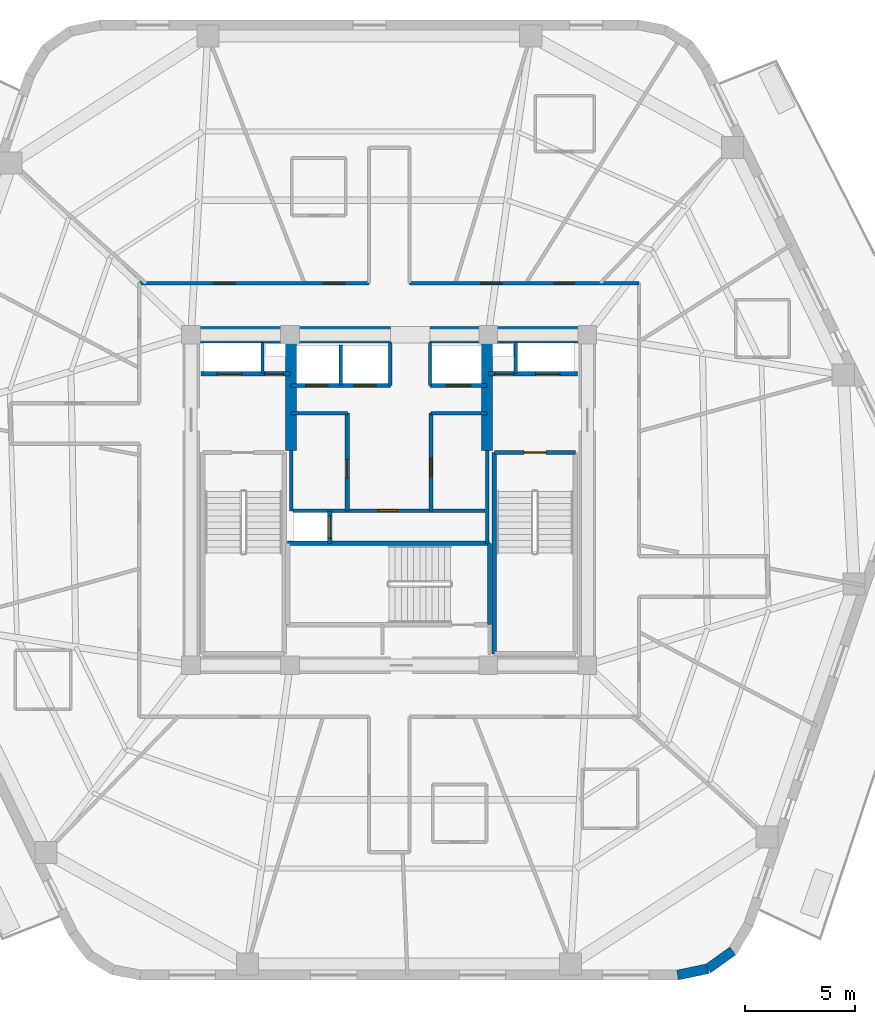
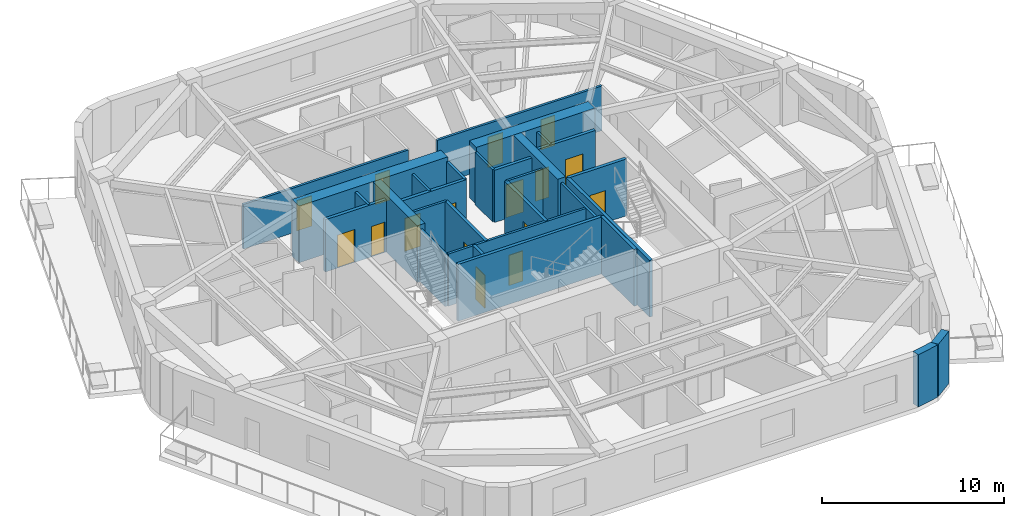
# One storey, part 4 of 9: 29 walls, 16 doors, 16 openings.
"""IFC4 building model written with IfcOpenShell, lengths in metres."""

from ifc_helpers import new_model, si_unit, direction, frame, frame_2d, origin, place, context, subcontext, project, spatial, rectangle, extrude, material, layer, layer_set, type_object, element, fill, save


model = new_model("IFC4")

# Units and contexts
model_context = context("Model", 3, precision=1e-05, world=origin(), true_north=direction((0.0, 1.0)))
body_context = subcontext(model_context, "Body", "Model", "MODEL_VIEW")
ifc_project = project(units=[si_unit("LENGTHUNIT", "METRE"), si_unit("AREAUNIT", "SQUARE_METRE"), si_unit("VOLUMEUNIT", "CUBIC_METRE"), si_unit("PLANEANGLEUNIT", "RADIAN"), si_unit("MASSUNIT", "GRAM", prefix="KILO")], contexts=[model_context])

# Site, building, storey
site_placement = place(None, origin())
site = spatial("IfcSite", under=ifc_project, at=site_placement, CompositionType="ELEMENT")
building_placement = place(site_placement, origin())
building = spatial("IfcBuilding", under=site, at=building_placement, Name="Kilnhurst Terrace Hotel", CompositionType="ELEMENT")
storey_placement = place(building_placement, frame((0.0, 0.0, 233.10009765625)))
storey = spatial("IfcBuildingStorey", under=building, at=storey_placement, Name="L58", CompositionType="ELEMENT", Elevation=233.10009765625)

# Walls
ifc_material_1 = material(Name="Precast concrete C40/50", Category="concrete")
ifc_layer_1 = layer(ifc_material_1, 0.449951171875, Name="Precast concrete C40/50")
ifc_layer_set_1 = layer_set([ifc_layer_1], Name="Precast concrete C40/50")
wall_type_1 = type_object("IfcWallType", Name="WL-BRK-450", PredefinedType="SOLIDWALL", material=ifc_layer_set_1)
wall_1_placement = place(storey_placement, frame((13.1015625, -21.574951171875, 0.0), z_axis=(0.0, 0.0, 1.0), x_axis=(0.978757421505, 0.205021730188, 0.0)))
element("IfcWall", 1, at=wall_1_placement, inside=storey, type_object=wall_type_1, Name="L58 Rounded Corner Brick Wall C2.1", PredefinedType="SOLIDWALL", context=body_context, shape_type="SweptSolid", body=[
    extrude(rectangle(XDim=1.40625, YDim=0.449951171875, at=frame_2d((0.703125, 0.0))), origin(), (0.0, 0.0, 1.0), 3.5),
])
wall_2_placement = place(storey_placement, frame((14.47802734375, -21.28662109375, 0.0), z_axis=(0.0, 0.0, 1.0), x_axis=(0.813888518617, 0.58102106611, 0.0)))
element("IfcWall", 2, at=wall_2_placement, inside=storey, type_object=wall_type_1, Name="L58 Rounded Corner Brick Wall C2.2", PredefinedType="SOLIDWALL", context=body_context, shape_type="SweptSolid", body=[
    extrude(rectangle(XDim=1.3828125, YDim=0.449951171875, at=frame_2d((0.69140625, 0.0))), origin(), (0.0, 0.0, 1.0), 3.5),
])

# Wall, openings, doors
ifc_material_2 = material(Name="Acoustic Double-Gypsum Corridor Partition Assembly")
ifc_layer_2 = layer(ifc_material_2, 0.14990234375, Name="Acoustic Double-Gypsum Corridor Partition Assembly")
ifc_layer_set_2 = layer_set([ifc_layer_2], Name="Acoustic Double-Gypsum Corridor Partition Assembly")
wall_type_2 = type_object("IfcWallType", Name="WL-COR-150", PredefinedType="PARTITIONING", material=ifc_layer_set_2)
wall_3_placement = place(storey_placement, frame((-11.35009765625, 9.85009765625, 0.0), z_axis=(0.0, 0.0, 1.0), x_axis=(1.0, 0.0, 0.0)))
wall_3 = element("IfcWall", 3, at=wall_3_placement, inside=storey, type_object=wall_type_2, Name="L58 Interior Wall WL-L58-COR-06", PredefinedType="PARTITIONING", context=body_context, shape_type="SweptSolid", body=[
    extrude(rectangle(XDim=10.43017578125, YDim=0.14990234375, at=frame_2d((5.215087890625, 0.0))), origin(), (0.0, 0.0, 1.0), 2.989990234375),
])
opening_1_placement = place(wall_3_placement, frame((8.362060546875, 0.0, 0.0)))
opening_1 = element("IfcOpeningElement", 4, at=opening_1_placement, cuts=wall_3, Name="Opening D-60B", PredefinedType="OPENING", context=body_context, shape_type="SweptSolid", body=[
    extrude(rectangle(XDim=0.949951171875, YDim=2.030029296875, at=frame_2d((0.47509765625, 1.01513671875))), frame((0.0, 0.0849609375, 0.0), z_axis=(0.0, -1.0, 0.0), x_axis=(1.0, 0.0, 0.0)), (0.0, 0.0, 1.0), 0.169921875),
])
opening_2_placement = place(wall_3_placement, frame((3.39599609375, 0.0, 0.0)))
opening_2 = element("IfcOpeningElement", 5, at=opening_2_placement, cuts=wall_3, Name="Opening D-60B", PredefinedType="OPENING", context=body_context, shape_type="SweptSolid", body=[
    extrude(rectangle(XDim=0.949951171875, YDim=2.030029296875, at=frame_2d((0.47509765625, 1.01513671875))), frame((0.0, 0.0849609375, 0.0), z_axis=(0.0, -1.0, 0.0), x_axis=(1.0, 0.0, 0.0)), (0.0, 0.0, 1.0), 0.169921875),
])
ifc_material_3 = material(Name="Acoustic Walnut Veneer Solid-Core Fire Door")
door_type_1 = type_object("IfcDoorType", Name="DR-FD60-950", OperationType="NOTDEFINED", PredefinedType="DOOR", material=ifc_material_3)
door_1_placement = place(opening_1_placement, origin())
door_1 = element("IfcDoor", 6, at=door_1_placement, inside=storey, type_object=door_type_1, Name="L58 Executive Suite Entry Door 5", OperationType="SINGLE_SWING_LEFT", OverallHeight=2.030029296875, OverallWidth=0.949951171875, PredefinedType="DOOR", context=body_context, shape_type="SweptSolid", body=[
    extrude(rectangle(XDim=0.949951171875, YDim=2.030029296875, at=frame_2d((0.47509765625, 1.01513671875))), frame((0.0, 0.02490234375, 0.0), z_axis=(0.0, -1.0, 0.0), x_axis=(1.0, 0.0, 0.0)), (0.0, 0.0, 1.0), 0.050048828125),
])
fill(opening_1, door_1)
door_2_placement = place(opening_2_placement, origin())
door_2 = element("IfcDoor", 7, at=door_2_placement, inside=storey, type_object=door_type_1, Name="L58 Club Lounge Door", OperationType="SINGLE_SWING_RIGHT", OverallHeight=2.030029296875, OverallWidth=0.949951171875, PredefinedType="DOOR", context=body_context, shape_type="SweptSolid", body=[
    extrude(rectangle(XDim=0.949951171875, YDim=2.030029296875, at=frame_2d((0.47509765625, 1.01513671875))), frame((0.0, 0.02490234375, 0.0), z_axis=(0.0, -1.0, 0.0), x_axis=(1.0, 0.0, 0.0)), (0.0, 0.0, 1.0), 0.050048828125),
])
fill(opening_2, door_2)

wall_4_placement = place(storey_placement, frame((0.919921875, 9.85009765625, 0.0), z_axis=(0.0, 0.0, 1.0), x_axis=(1.0, 0.0, 0.0)))
wall_4 = element("IfcWall", 8, at=wall_4_placement, inside=storey, type_object=wall_type_2, Name="L58 Interior Wall WL-L58-COR-10", PredefinedType="PARTITIONING", context=body_context, shape_type="SweptSolid", body=[
    extrude(rectangle(XDim=10.43017578125, YDim=0.14990234375, at=frame_2d((5.215087890625, 0.0))), origin(), (0.0, 0.0, 1.0), 2.989990234375),
])
opening_3_placement = place(wall_4_placement, frame((6.576904296875, 0.0, 0.0)))
opening_3 = element("IfcOpeningElement", 9, at=opening_3_placement, cuts=wall_4, Name="Opening D-60C", PredefinedType="OPENING", context=body_context, shape_type="SweptSolid", body=[
    extrude(rectangle(XDim=0.89990234375, YDim=2.030029296875, at=frame_2d((0.449951171875, 1.01513671875))), frame((0.0, 0.0849609375, 0.0), z_axis=(0.0, -1.0, 0.0), x_axis=(1.0, 0.0, 0.0)), (0.0, 0.0, 1.0), 0.169921875),
])
opening_4_placement = place(wall_4_placement, frame((3.23388671875, 0.0, 0.0)))
opening_4 = element("IfcOpeningElement", 10, at=opening_4_placement, cuts=wall_4, Name="Opening D-60B", PredefinedType="OPENING", context=body_context, shape_type="SweptSolid", body=[
    extrude(rectangle(XDim=0.949951171875, YDim=2.030029296875, at=frame_2d((0.47509765625, 1.01513671875))), frame((0.0, 0.0849609375, 0.0), z_axis=(0.0, -1.0, 0.0), x_axis=(1.0, 0.0, 0.0)), (0.0, 0.0, 1.0), 0.169921875),
])
ifc_material_4 = material(Name="Painted Solid-Core Service Fire Door")
door_type_2 = type_object("IfcDoorType", Name="DR-FD60-900", OperationType="NOTDEFINED", PredefinedType="DOOR", material=ifc_material_4)
door_3_placement = place(opening_3_placement, origin())
door_3 = element("IfcDoor", 11, at=door_3_placement, inside=storey, type_object=door_type_2, Name="L58 Executive Work Office Door 3", OperationType="SINGLE_SWING_LEFT", OverallHeight=2.030029296875, OverallWidth=0.89990234375, PredefinedType="DOOR", context=body_context, shape_type="SweptSolid", body=[
    extrude(rectangle(XDim=0.89990234375, YDim=2.030029296875, at=frame_2d((0.449951171875, 1.01513671875))), frame((0.0, 0.02490234375, 0.0), z_axis=(0.0, -1.0, 0.0), x_axis=(1.0, 0.0, 0.0)), (0.0, 0.0, 1.0), 0.050048828125),
])
fill(opening_3, door_3)
door_4_placement = place(opening_4_placement, origin())
door_4 = element("IfcDoor", 12, at=door_4_placement, inside=storey, type_object=door_type_1, Name="L58 Guest Room Entry Door 4", OperationType="SINGLE_SWING_RIGHT", OverallHeight=2.030029296875, OverallWidth=0.949951171875, PredefinedType="DOOR", context=body_context, shape_type="SweptSolid", body=[
    extrude(rectangle(XDim=0.949951171875, YDim=2.030029296875, at=frame_2d((0.47509765625, 1.01513671875))), frame((0.0, 0.02490234375, 0.0), z_axis=(0.0, -1.0, 0.0), x_axis=(1.0, 0.0, 0.0)), (0.0, 0.0, 1.0), 0.050048828125),
])
fill(opening_4, door_4)

# Walls
ifc_material_5 = material(Name="Concrete C60/75", Category="concrete")
ifc_layer_3 = layer(ifc_material_5, 0.75, Name="Concrete C60/75")
ifc_layer_set_3 = layer_set([ifc_layer_3], Name="Concrete C60/75")
wall_type_3 = type_object("IfcWallType", Name="WL-CORE-750", PredefinedType="SHEAR", material=ifc_layer_set_3)
wall_5_placement = place(storey_placement, frame((-9.375, 7.5, 0.0), z_axis=(0.0, 0.0, 1.0), x_axis=(1.0, 0.0, 0.0)))
element("IfcWall", 13, at=wall_5_placement, inside=storey, type_object=wall_type_3, Name="L58 Core North West Shear Wall", PredefinedType="SHEAR", context=body_context, shape_type="SweptSolid", body=[
    extrude(rectangle(XDim=9.425048828125, YDim=0.75, at=frame_2d((4.71240234375, 0.0))), origin(), (0.0, 0.0, 1.0), 3.7998046875),
])
wall_6_placement = place(storey_placement, frame((1.85009765625, 7.5, 0.0), z_axis=(0.0, 0.0, 1.0), x_axis=(1.0, 0.0, 0.0)))
element("IfcWall", 14, at=wall_6_placement, inside=storey, type_object=wall_type_3, Name="L58 Core North East Shear Wall", PredefinedType="SHEAR", context=body_context, shape_type="SweptSolid", body=[
    extrude(rectangle(XDim=7.52490234375, YDim=0.75, at=frame_2d((3.762451171875, 0.0))), origin(), (0.0, 0.0, 1.0), 3.7998046875),
])
ifc_layer_4 = layer(ifc_material_5, 0.5, Name="Concrete C60/75")
ifc_layer_set_4 = layer_set([ifc_layer_4], Name="Concrete C60/75")
wall_type_4 = type_object("IfcWallType", Name="WL-CORE-WEB-500", PredefinedType="SHEAR", material=ifc_layer_set_4)
for number, where, z_axis, x_axis, name in (
    (15, (-4.449951171875, 2.25, 0.0), (0.0, 0.0, 1.0), (0.0, 1.0, 0.0), "L58 Core Internal West Shear Web"),
    (16, (4.449951171875, 2.25, 0.0), (0.0, 0.0, 1.0), (0.0, 1.0, 0.0), "L58 Core Internal East Shear Web"),
):
    element("IfcWall", number, at=place(storey_placement, frame(where, z_axis=z_axis, x_axis=x_axis)), inside=storey, type_object=wall_type_4, Name=name, PredefinedType="SHEAR", context=body_context, shape_type="SweptSolid", body=[
        extrude(rectangle(XDim=4.875, YDim=0.5, at=frame_2d((2.4375, 0.0))), origin(), (0.0, 0.0, 1.0), 3.7998046875),
    ])
ifc_material_6 = material(Name="Fire-Rated Gypsum Shaftliner Assembly")
ifc_layer_5 = layer(ifc_material_6, 0.14990234375, Name="Fire-Rated Gypsum Shaftliner Assembly")
ifc_layer_set_5 = layer_set([ifc_layer_5], Name="Fire-Rated Gypsum Shaftliner Assembly")
wall_type_5 = type_object("IfcWallType", Name="WL-SHAFT-150", PredefinedType="PARTITIONING", material=ifc_layer_set_5)
for number, where, z_axis, x_axis, name in (
    (17, (-5.75, 5.739990234375, 0.0), (0.0, 0.0, 1.0), (0.0, 1.0, 0.0), "L58 Interior Wall WL-L58-RIS1-DIV"),
    (18, (5.75, 5.739990234375, 0.0), (0.0, 0.0, 1.0), (0.0, 1.0, 0.0), "L58 Interior Wall WL-L58-RIS2-DIV"),
):
    element("IfcWall", number, at=place(storey_placement, frame(where, z_axis=z_axis, x_axis=x_axis)), inside=storey, type_object=wall_type_5, Name=name, PredefinedType="PARTITIONING", context=body_context, shape_type="SweptSolid", body=[
        extrude(rectangle(XDim=1.409912109375, YDim=0.14990234375, at=frame_2d((0.705078125, 0.0))), origin(), (0.0, 0.0, 1.0), 3.5),
    ])
wall_7_placement = place(storey_placement, frame((-2.199951171875, 5.199951171875, 0.0), z_axis=(0.0, 0.0, 1.0), x_axis=(0.0, 1.0, 0.0)))
element("IfcWall", 19, at=wall_7_placement, inside=storey, type_object=wall_type_5, Name="L58 Interior Wall WL-L58-HR-DIV1", PredefinedType="PARTITIONING", context=body_context, shape_type="SweptSolid", body=[
    extrude(rectangle(XDim=1.85009765625, YDim=0.14990234375, at=frame_2d((0.925048828125, 0.0))), origin(), (0.0, 0.0, 1.0), 3.5),
])
for number, where, z_axis, x_axis, name in (
    (20, (0.050048828125, 5.199951171875, 0.0), (0.0, 0.0, 1.0), (0.0, 1.0, 0.0), "L58 Interior Wall WL-L58-HR-PORTAL-W"),
    (21, (1.85009765625, 5.199951171875, 0.0), (0.0, 0.0, 1.0), (0.0, 1.0, 0.0), "L58 Interior Wall WL-L58-HR-PORTAL-E"),
):
    element("IfcWall", number, at=place(storey_placement, frame(where, z_axis=z_axis, x_axis=x_axis)), inside=storey, type_object=wall_type_5, Name=name, PredefinedType="PARTITIONING", context=body_context, shape_type="SweptSolid", body=[
        extrude(rectangle(XDim=1.949951171875, YDim=0.14990234375, at=frame_2d((0.97509765625, 0.0))), origin(), (0.0, 0.0, 1.0), 3.5),
    ])
wall_8_placement = place(storey_placement, frame((-4.449951171875, -0.5, 0.0), z_axis=(0.0, 0.0, 1.0), x_axis=(0.0, 1.0, 0.0)))
element("IfcWall", 22, at=wall_8_placement, inside=storey, type_object=wall_type_5, Name="L58 Interior Wall WL-L58-XLOB-W", PredefinedType="PARTITIONING", context=body_context, shape_type="SweptSolid", body=[
    extrude(rectangle(XDim=2.75, YDim=0.14990234375, at=frame_2d((1.375, 0.0))), origin(), (0.0, 0.0, 1.0), 3.5),
])
wall_9_placement = place(storey_placement, frame((4.449951171875, -1.971923828125, 0.0), z_axis=(0.0, 0.0, 1.0), x_axis=(0.0, 1.0, 0.0)))
element("IfcWall", 23, at=wall_9_placement, inside=storey, type_object=wall_type_5, Name="L58 Interior Wall WL-L58-XLOB-E", PredefinedType="PARTITIONING", context=body_context, shape_type="SweptSolid", body=[
    extrude(rectangle(XDim=4.221923828125, YDim=0.14990234375, at=frame_2d((2.11083984375, 0.0))), origin(), (0.0, 0.0, 1.0), 3.5),
])
for number, where, z_axis, x_axis, name in (
    (24, (-4.449951171875, 3.93994140625, 0.0), (0.0, 0.0, 1.0), (1.0, 0.0, 0.0), "L58 Interior Wall WL-L58-LR-NORTH"),
    (25, (1.89990234375, 3.93994140625, 0.0), (0.0, 0.0, 1.0), (1.0, 0.0, 0.0), "L58 Interior Wall WL-L58-MR-NORTH"),
):
    element("IfcWall", number, at=place(storey_placement, frame(where, z_axis=z_axis, x_axis=x_axis)), inside=storey, type_object=wall_type_5, Name=name, PredefinedType="PARTITIONING", context=body_context, shape_type="SweptSolid", body=[
        extrude(rectangle(XDim=2.550048828125, YDim=0.14990234375, at=frame_2d((1.27490234375, 0.0))), origin(), (0.0, 0.0, 1.0), 3.5),
    ])

# Wall, opening, door
wall_10_placement = place(storey_placement, frame((-4.360107421875, -0.489990234375, 0.0), z_axis=(0.0, 0.0, 1.0), x_axis=(1.0, 0.0, 0.0)))
wall_10 = element("IfcWall", 26, at=wall_10_placement, inside=storey, type_object=wall_type_5, Name="L58 Interior Wall WL-L58-BOH-N", PredefinedType="PARTITIONING", context=body_context, shape_type="SweptSolid", body=[
    extrude(rectangle(XDim=8.72021484375, YDim=0.14990234375, at=frame_2d((4.360107421875, 0.0))), origin(), (0.0, 0.0, 1.0), 3.5),
])
opening_5_placement = place(wall_10_placement, frame((3.860107421875, 0.0, 0.0)))
opening_5 = element("IfcOpeningElement", 27, at=opening_5_placement, cuts=wall_10, Name="Opening D-60C", PredefinedType="OPENING", context=body_context, shape_type="SweptSolid", body=[
    extrude(rectangle(XDim=0.89990234375, YDim=2.030029296875, at=frame_2d((0.449951171875, 1.01513671875))), frame((0.0, 0.0849609375, 0.0), z_axis=(0.0, -1.0, 0.0), x_axis=(1.0, 0.0, 0.0)), (0.0, 0.0, 1.0), 0.169921875),
])
door_5_placement = place(opening_5_placement, origin())
door_5 = element("IfcDoor", 28, at=door_5_placement, inside=storey, type_object=door_type_2, Name="L58 Housekeeping Laundry Door", OperationType="SINGLE_SWING_LEFT", OverallHeight=2.030029296875, OverallWidth=0.89990234375, PredefinedType="DOOR", context=body_context, shape_type="SweptSolid", body=[
    extrude(rectangle(XDim=0.89990234375, YDim=2.030029296875, at=frame_2d((0.449951171875, 1.01513671875))), frame((0.0, 0.02490234375, 0.0), z_axis=(0.0, -1.0, 0.0), x_axis=(1.0, 0.0, 0.0)), (0.0, 0.0, 1.0), 0.050048828125),
])
fill(opening_5, door_5)

# Wall, openings, doors
ifc_material_7 = material(Name="Autoclaved Aerated Concrete C30/37 and Gypsum Shaft Assembly", Category="concrete")
ifc_layer_6 = layer(ifc_material_7, 0.199951171875, Name="Autoclaved Aerated Concrete C30/37 and Gypsum Shaft Assembly")
ifc_layer_set_6 = layer_set([ifc_layer_6], Name="Autoclaved Aerated Concrete C30/37 and Gypsum Shaft Assembly")
wall_type_6 = type_object("IfcWallType", Name="WL-SHAFT-200", PredefinedType="PARTITIONING", material=ifc_layer_set_6)
wall_11_placement = place(storey_placement, frame((-8.550048828125, 5.739990234375, 0.0), z_axis=(0.0, 0.0, 1.0), x_axis=(1.0, 0.0, 0.0)))
wall_11 = element("IfcWall", 29, at=wall_11_placement, inside=storey, type_object=wall_type_6, Name="L58 Interior Wall WL-L58-FSAE1-S", PredefinedType="PARTITIONING", context=body_context, shape_type="SweptSolid", body=[
    extrude(rectangle(XDim=4.050048828125, YDim=0.199951171875, at=frame_2d((2.02490234375, 0.0))), origin(), (0.0, 0.0, 1.0), 3.5),
])
opening_6_placement = place(wall_11_placement, frame((0.75, 0.0, 0.0)))
opening_6 = element("IfcOpeningElement", 30, at=opening_6_placement, cuts=wall_11, Name="Opening LD-F1", PredefinedType="OPENING", context=body_context, shape_type="SweptSolid", body=[
    extrude(rectangle(XDim=1.10009765625, YDim=2.199951171875, at=frame_2d((0.550048828125, 1.10009765625))), frame((0.0, 0.10986328125, 0.0), z_axis=(0.0, -1.0, 0.0), x_axis=(1.0, 0.0, 0.0)), (0.0, 0.0, 1.0), 0.219970703125),
])
opening_7_placement = place(wall_11_placement, frame((2.89990234375, 0.0, 0.0)))
opening_7 = element("IfcOpeningElement", 31, at=opening_7_placement, cuts=wall_11, Name="Opening D-60D", PredefinedType="OPENING", context=body_context, shape_type="SweptSolid", body=[
    extrude(rectangle(XDim=0.85009765625, YDim=2.030029296875, at=frame_2d((0.425048828125, 1.01513671875))), frame((0.0, 0.10986328125, 0.0), z_axis=(0.0, -1.0, 0.0), x_axis=(1.0, 0.0, 0.0)), (0.0, 0.0, 1.0), 0.219970703125),
])
ifc_material_8 = material(Name="Painted Hollow Metal Steel ASTM A36 Riser Door", Category="steel")
door_type_3 = type_object("IfcDoorType", Name="DR-FD60-850", OperationType="NOTDEFINED", PredefinedType="DOOR", material=ifc_material_8)
door_6_placement = place(opening_7_placement, origin())
door_6 = element("IfcDoor", 32, at=door_6_placement, inside=storey, type_object=door_type_3, Name="L58 Electrical Riser Door", OperationType="SINGLE_SWING_LEFT", OverallHeight=2.030029296875, OverallWidth=0.85009765625, PredefinedType="DOOR", context=body_context, shape_type="SweptSolid", body=[
    extrude(rectangle(XDim=0.85009765625, YDim=2.030029296875, at=frame_2d((0.425048828125, 1.01513671875))), frame((0.0, 0.02490234375, 0.0), z_axis=(0.0, -1.0, 0.0), x_axis=(1.0, 0.0, 0.0)), (0.0, 0.0, 1.0), 0.050048828125),
])
fill(opening_7, door_6)
ifc_material_9 = material(Name="Bronze-Anodized Stainless Steel AISI 316L Sliding Door", Category="steel")
door_type_4 = type_object("IfcDoorType", Name="DR-LIFT-1100", OperationType="NOTDEFINED", PredefinedType="DOOR", material=ifc_material_9)
door_7_placement = place(opening_6_placement, origin())
door_7 = element("IfcDoor", 33, at=door_7_placement, inside=storey, type_object=door_type_4, Name="L58 FSAE-1 Landing Door", OperationType="SLIDING_TO_LEFT", OverallHeight=2.199951171875, OverallWidth=1.10009765625, PredefinedType="DOOR", context=body_context, shape_type="SweptSolid", body=[
    extrude(rectangle(XDim=1.10009765625, YDim=2.199951171875, at=frame_2d((0.550048828125, 1.10009765625))), frame((0.0, 0.02490234375, 0.0), z_axis=(0.0, -1.0, 0.0), x_axis=(1.0, 0.0, 0.0)), (0.0, 0.0, 1.0), 0.050048828125),
])
fill(opening_6, door_7)

wall_12_placement = place(storey_placement, frame((4.5, 5.739990234375, 0.0), z_axis=(0.0, 0.0, 1.0), x_axis=(1.0, 0.0, 0.0)))
wall_12 = element("IfcWall", 34, at=wall_12_placement, inside=storey, type_object=wall_type_6, Name="L58 Interior Wall WL-L58-FSAE2-S", PredefinedType="PARTITIONING", context=body_context, shape_type="SweptSolid", body=[
    extrude(rectangle(XDim=4.050048828125, YDim=0.199951171875, at=frame_2d((2.02490234375, 0.0))), origin(), (0.0, 0.0, 1.0), 3.5),
])
opening_8_placement = place(wall_12_placement, frame((0.300048828125, 0.0, 0.0)))
opening_8 = element("IfcOpeningElement", 35, at=opening_8_placement, cuts=wall_12, Name="Opening D-60D", PredefinedType="OPENING", context=body_context, shape_type="SweptSolid", body=[
    extrude(rectangle(XDim=0.85009765625, YDim=2.030029296875, at=frame_2d((0.425048828125, 1.01513671875))), frame((0.0, 0.10986328125, 0.0), z_axis=(0.0, -1.0, 0.0), x_axis=(1.0, 0.0, 0.0)), (0.0, 0.0, 1.0), 0.219970703125),
])
opening_9_placement = place(wall_12_placement, frame((2.14990234375, 0.0, 0.0)))
opening_9 = element("IfcOpeningElement", 36, at=opening_9_placement, cuts=wall_12, Name="Opening LD-F2", PredefinedType="OPENING", context=body_context, shape_type="SweptSolid", body=[
    extrude(rectangle(XDim=1.10009765625, YDim=2.199951171875, at=frame_2d((0.550048828125, 1.10009765625))), frame((0.0, 0.10986328125, 0.0), z_axis=(0.0, -1.0, 0.0), x_axis=(1.0, 0.0, 0.0)), (0.0, 0.0, 1.0), 0.219970703125),
])
door_8_placement = place(opening_8_placement, origin())
door_8 = element("IfcDoor", 37, at=door_8_placement, inside=storey, type_object=door_type_3, Name="L58 Telecom Riser Door", OperationType="SINGLE_SWING_RIGHT", OverallHeight=2.030029296875, OverallWidth=0.85009765625, PredefinedType="DOOR", context=body_context, shape_type="SweptSolid", body=[
    extrude(rectangle(XDim=0.85009765625, YDim=2.030029296875, at=frame_2d((0.425048828125, 1.01513671875))), frame((0.0, 0.02490234375, 0.0), z_axis=(0.0, -1.0, 0.0), x_axis=(1.0, 0.0, 0.0)), (0.0, 0.0, 1.0), 0.050048828125),
])
fill(opening_8, door_8)
door_9_placement = place(opening_9_placement, origin())
door_9 = element("IfcDoor", 38, at=door_9_placement, inside=storey, type_object=door_type_4, Name="L58 FSAE-2 Landing Door", OperationType="SLIDING_TO_RIGHT", OverallHeight=2.199951171875, OverallWidth=1.10009765625, PredefinedType="DOOR", context=body_context, shape_type="SweptSolid", body=[
    extrude(rectangle(XDim=1.10009765625, YDim=2.199951171875, at=frame_2d((0.550048828125, 1.10009765625))), frame((0.0, 0.02490234375, 0.0), z_axis=(0.0, -1.0, 0.0), x_axis=(1.0, 0.0, 0.0)), (0.0, 0.0, 1.0), 0.050048828125),
])
fill(opening_9, door_9)

# Wall, opening, door
wall_13_placement = place(storey_placement, frame((-2.699951171875, -1.971923828125, 0.0), z_axis=(0.0, 0.0, 1.0), x_axis=(0.0, 1.0, 0.0)))
wall_13 = element("IfcWall", 39, at=wall_13_placement, inside=storey, type_object=wall_type_6, Name="L58 Interior Wall WL-L58-SRV1-E", PredefinedType="PARTITIONING", context=body_context, shape_type="SweptSolid", body=[
    extrude(rectangle(XDim=1.471923828125, YDim=0.199951171875, at=frame_2d((0.73583984375, 0.0))), origin(), (0.0, 0.0, 1.0), 3.5),
])
opening_10_placement = place(wall_13_placement, frame((0.239990234375, 0.0, 0.0)))
opening_10 = element("IfcOpeningElement", 40, at=opening_10_placement, cuts=wall_13, Name="Opening LD-SV", PredefinedType="OPENING", context=body_context, shape_type="SweptSolid", body=[
    extrude(rectangle(XDim=1.0, YDim=2.199951171875, at=frame_2d((0.5, 1.10009765625))), frame((0.0, 0.10986328125, 0.0), z_axis=(0.0, -1.0, 0.0), x_axis=(1.0, 0.0, 0.0)), (0.0, 0.0, 1.0), 0.219970703125),
])
door_type_5 = type_object("IfcDoorType", Name="DR-LIFT-1000", OperationType="NOTDEFINED", PredefinedType="DOOR", material=ifc_material_9)
door_10_placement = place(opening_10_placement, origin())
door_10 = element("IfcDoor", 41, at=door_10_placement, inside=storey, type_object=door_type_5, Name="L58 Service Lift SRV-1 Landing Door", OperationType="SLIDING_TO_LEFT", OverallHeight=2.199951171875, OverallWidth=1.0, PredefinedType="DOOR", context=body_context, shape_type="SweptSolid", body=[
    extrude(rectangle(XDim=1.0, YDim=2.199951171875, at=frame_2d((0.5, 1.10009765625))), frame((0.0, 0.02490234375, 0.0), z_axis=(0.0, -1.0, 0.0), x_axis=(1.0, 0.0, 0.0)), (0.0, 0.0, 1.0), 0.050048828125),
])
fill(opening_10, door_10)

# Wall, openings, doors
wall_14_placement = place(storey_placement, frame((-4.449951171875, 5.199951171875, 0.0), z_axis=(0.0, 0.0, 1.0), x_axis=(1.0, 0.0, 0.0)))
wall_14 = element("IfcWall", 42, at=wall_14_placement, inside=storey, type_object=wall_type_6, Name="L58 Interior Wall WL-L58-HR-SW", PredefinedType="PARTITIONING", context=body_context, shape_type="SweptSolid", body=[
    extrude(rectangle(XDim=4.5, YDim=0.199951171875, at=frame_2d((2.25, 0.0))), origin(), (0.0, 0.0, 1.0), 3.5),
])
opening_11_placement = place(wall_14_placement, frame((0.64990234375, 0.0, 0.0)))
opening_11 = element("IfcOpeningElement", 43, at=opening_11_placement, cuts=wall_14, Name="Opening LD-HR", PredefinedType="OPENING", context=body_context, shape_type="SweptSolid", body=[
    extrude(rectangle(XDim=1.0, YDim=2.199951171875, at=frame_2d((0.5, 1.10009765625))), frame((0.0, 0.10986328125, 0.0), z_axis=(0.0, -1.0, 0.0), x_axis=(1.0, 0.0, 0.0)), (0.0, 0.0, 1.0), 0.219970703125),
])
opening_12_placement = place(wall_14_placement, frame((2.85009765625, 0.0, 0.0)))
opening_12 = element("IfcOpeningElement", 44, at=opening_12_placement, cuts=wall_14, Name="Opening LD-HS", PredefinedType="OPENING", context=body_context, shape_type="SweptSolid", body=[
    extrude(rectangle(XDim=1.0, YDim=2.199951171875, at=frame_2d((0.5, 1.10009765625))), frame((0.0, 0.10986328125, 0.0), z_axis=(0.0, -1.0, 0.0), x_axis=(1.0, 0.0, 0.0)), (0.0, 0.0, 1.0), 0.219970703125),
])
door_11_placement = place(opening_11_placement, origin())
door_11 = element("IfcDoor", 45, at=door_11_placement, inside=storey, type_object=door_type_5, Name="L58 High Rise Lift HR-1 Landing Door", OperationType="SLIDING_TO_LEFT", OverallHeight=2.199951171875, OverallWidth=1.0, PredefinedType="DOOR", context=body_context, shape_type="SweptSolid", body=[
    extrude(rectangle(XDim=1.0, YDim=2.199951171875, at=frame_2d((0.5, 1.10009765625))), frame((0.0, 0.02490234375, 0.0), z_axis=(0.0, -1.0, 0.0), x_axis=(1.0, 0.0, 0.0)), (0.0, 0.0, 1.0), 0.050048828125),
])
fill(opening_11, door_11)
door_12_placement = place(opening_12_placement, origin())
door_12 = element("IfcDoor", 46, at=door_12_placement, inside=storey, type_object=door_type_5, Name="L58 High Rise Lift HR-3 Landing Door", OperationType="SLIDING_TO_RIGHT", OverallHeight=2.199951171875, OverallWidth=1.0, PredefinedType="DOOR", context=body_context, shape_type="SweptSolid", body=[
    extrude(rectangle(XDim=1.0, YDim=2.199951171875, at=frame_2d((0.5, 1.10009765625))), frame((0.0, 0.02490234375, 0.0), z_axis=(0.0, -1.0, 0.0), x_axis=(1.0, 0.0, 0.0)), (0.0, 0.0, 1.0), 0.050048828125),
])
fill(opening_12, door_12)

# Wall, opening, door
wall_15_placement = place(storey_placement, frame((1.85009765625, 5.199951171875, 0.0), z_axis=(0.0, 0.0, 1.0), x_axis=(1.0, 0.0, 0.0)))
wall_15 = element("IfcWall", 47, at=wall_15_placement, inside=storey, type_object=wall_type_6, Name="L58 Interior Wall WL-L58-HR-SE", PredefinedType="PARTITIONING", context=body_context, shape_type="SweptSolid", body=[
    extrude(rectangle(XDim=2.599853515625, YDim=0.199951171875, at=frame_2d((1.2998046875, 0.0))), origin(), (0.0, 0.0, 1.0), 3.5),
])
opening_13_placement = place(wall_15_placement, frame((0.75, 0.0, 0.0)))
opening_13 = element("IfcOpeningElement", 48, at=opening_13_placement, cuts=wall_15, Name="Opening LD-H2", PredefinedType="OPENING", context=body_context, shape_type="SweptSolid", body=[
    extrude(rectangle(XDim=1.10009765625, YDim=2.199951171875, at=frame_2d((0.550048828125, 1.10009765625))), frame((0.0, 0.10986328125, 0.0), z_axis=(0.0, -1.0, 0.0), x_axis=(1.0, 0.0, 0.0)), (0.0, 0.0, 1.0), 0.219970703125),
])
door_13_placement = place(opening_13_placement, origin())
door_13 = element("IfcDoor", 49, at=door_13_placement, inside=storey, type_object=door_type_4, Name="L58 High Rise Lift HR-2 Landing Door", OperationType="SLIDING_TO_RIGHT", OverallHeight=2.199951171875, OverallWidth=1.10009765625, PredefinedType="DOOR", context=body_context, shape_type="SweptSolid", body=[
    extrude(rectangle(XDim=1.10009765625, YDim=2.199951171875, at=frame_2d((0.550048828125, 1.10009765625))), frame((0.0, 0.02490234375, 0.0), z_axis=(0.0, -1.0, 0.0), x_axis=(1.0, 0.0, 0.0)), (0.0, 0.0, 1.0), 0.050048828125),
])
fill(opening_13, door_13)

wall_16_placement = place(storey_placement, frame((-1.89990234375, -0.5, 0.0), z_axis=(0.0, 0.0, 1.0), x_axis=(0.0, 1.0, 0.0)))
wall_16 = element("IfcWall", 50, at=wall_16_placement, inside=storey, type_object=wall_type_6, Name="L58 Interior Wall WL-L58-LR-FRONT", PredefinedType="PARTITIONING", context=body_context, shape_type="SweptSolid", body=[
    extrude(rectangle(XDim=4.43994140625, YDim=0.199951171875, at=frame_2d((2.219970703125, 0.0))), origin(), (0.0, 0.0, 1.0), 3.5),
])
opening_14_placement = place(wall_16_placement, frame((1.5, 0.0, 0.0)))
opening_14 = element("IfcOpeningElement", 51, at=opening_14_placement, cuts=wall_16, Name="Opening D-60D", PredefinedType="OPENING", context=body_context, shape_type="SweptSolid", body=[
    extrude(rectangle(XDim=0.85009765625, YDim=2.030029296875, at=frame_2d((0.425048828125, 1.01513671875))), frame((0.0, 0.10986328125, 0.0), z_axis=(0.0, -1.0, 0.0), x_axis=(1.0, 0.0, 0.0)), (0.0, 0.0, 1.0), 0.219970703125),
])
door_14_placement = place(opening_14_placement, origin())
door_14 = element("IfcDoor", 52, at=door_14_placement, inside=storey, type_object=door_type_3, Name="L58 Reclaimed Linen Room Door", OperationType="SINGLE_SWING_LEFT", OverallHeight=2.030029296875, OverallWidth=0.85009765625, PredefinedType="DOOR", context=body_context, shape_type="SweptSolid", body=[
    extrude(rectangle(XDim=0.85009765625, YDim=2.030029296875, at=frame_2d((0.425048828125, 1.01513671875))), frame((0.0, 0.02490234375, 0.0), z_axis=(0.0, -1.0, 0.0), x_axis=(1.0, 0.0, 0.0)), (0.0, 0.0, 1.0), 0.050048828125),
])
fill(opening_14, door_14)

wall_17_placement = place(storey_placement, frame((1.89990234375, -0.5, 0.0), z_axis=(0.0, 0.0, 1.0), x_axis=(0.0, 1.0, 0.0)))
wall_17 = element("IfcWall", 53, at=wall_17_placement, inside=storey, type_object=wall_type_6, Name="L58 Interior Wall WL-L58-MR-FRONT", PredefinedType="PARTITIONING", context=body_context, shape_type="SweptSolid", body=[
    extrude(rectangle(XDim=4.43994140625, YDim=0.199951171875, at=frame_2d((2.219970703125, 0.0))), origin(), (0.0, 0.0, 1.0), 3.5),
])
opening_15_placement = place(wall_17_placement, frame((1.550048828125, 0.0, 0.0)))
opening_15 = element("IfcOpeningElement", 54, at=opening_15_placement, cuts=wall_17, Name="Opening D-60D", PredefinedType="OPENING", context=body_context, shape_type="SweptSolid", body=[
    extrude(rectangle(XDim=0.85009765625, YDim=2.030029296875, at=frame_2d((0.425048828125, 1.01513671875))), frame((0.0, 0.10986328125, 0.0), z_axis=(0.0, -1.0, 0.0), x_axis=(1.0, 0.0, 0.0)), (0.0, 0.0, 1.0), 0.219970703125),
])
door_15_placement = place(opening_15_placement, origin())
door_15 = element("IfcDoor", 55, at=door_15_placement, inside=storey, type_object=door_type_3, Name="L58 Staff Accessible Restroom Door", OperationType="SINGLE_SWING_RIGHT", OverallHeight=2.030029296875, OverallWidth=0.85009765625, PredefinedType="DOOR", context=body_context, shape_type="SweptSolid", body=[
    extrude(rectangle(XDim=0.85009765625, YDim=2.030029296875, at=frame_2d((0.425048828125, 1.01513671875))), frame((0.0, 0.02490234375, 0.0), z_axis=(0.0, -1.0, 0.0), x_axis=(1.0, 0.0, 0.0)), (0.0, 0.0, 1.0), 0.050048828125),
])
fill(opening_15, door_15)

# Wall
ifc_material_10 = material(Name="Concrete C50/60", Category="concrete")
ifc_layer_7 = layer(ifc_material_10, 0.199951171875, Name="Concrete C50/60")
ifc_layer_set_7 = layer_set([ifc_layer_7], Name="Concrete C50/60")
wall_type_7 = type_object("IfcWallType", Name="WL-STAIR-RC-200", PredefinedType="SHEAR", material=ifc_layer_set_7)
wall_18_placement = place(storey_placement, frame((4.77197265625, -6.985107421875, 0.0), z_axis=(0.0, 0.0, 1.0), x_axis=(0.0, 1.0, 0.0)))
element("IfcWall", 56, at=wall_18_placement, inside=storey, type_object=wall_type_7, Name="L58 Structural Stair Shaft Wall WL-L58-ST2-W", PredefinedType="SHEAR", context=body_context, shape_type="SweptSolid", body=[
    extrude(rectangle(XDim=9.14306640625, YDim=0.199951171875, at=frame_2d((4.571533203125, 0.0))), origin(), (0.0, 0.0, 1.0), 3.7998046875),
])

# Wall, opening, door
wall_19_placement = place(storey_placement, frame((4.77197265625, 2.157958984375, 0.0), z_axis=(0.0, 0.0, 1.0), x_axis=(1.0, 0.0, 0.0)))
wall_19 = element("IfcWall", 57, at=wall_19_placement, inside=storey, type_object=wall_type_7, Name="L58 Structural Stair Shaft Wall WL-L58-ST2-N", PredefinedType="SHEAR", context=body_context, shape_type="SweptSolid", body=[
    extrude(rectangle(XDim=3.68603515625, YDim=0.199951171875, at=frame_2d((1.843017578125, 0.0))), origin(), (0.0, 0.0, 1.0), 3.7998046875),
])
opening_16_placement = place(wall_19_placement, frame((1.35009765625, 0.0, 0.0)))
opening_16 = element("IfcOpeningElement", 58, at=opening_16_placement, cuts=wall_19, Name="Opening D-90B", PredefinedType="OPENING", context=body_context, shape_type="SweptSolid", body=[
    extrude(rectangle(XDim=1.0, YDim=2.14990234375, at=frame_2d((0.5, 1.074951171875))), frame((0.0, 0.10986328125, 0.0), z_axis=(0.0, -1.0, 0.0), x_axis=(1.0, 0.0, 0.0)), (0.0, 0.0, 1.0), 0.219970703125),
])
ifc_material_11 = material(Name="Painted Hollow Metal Steel ASTM A36 Fire Door", Category="steel")
door_type_6 = type_object("IfcDoorType", Name="DR-FD90-1000", OperationType="NOTDEFINED", PredefinedType="DOOR", material=ifc_material_11)
door_16_placement = place(opening_16_placement, origin())
door_16 = element("IfcDoor", 59, at=door_16_placement, inside=storey, type_object=door_type_6, Name="L58 Stair ST-2 Door", OperationType="SINGLE_SWING_RIGHT", OverallHeight=2.14990234375, OverallWidth=1.0, PredefinedType="DOOR", context=body_context, shape_type="SweptSolid", body=[
    extrude(rectangle(XDim=1.0, YDim=2.14990234375, at=frame_2d((0.5, 1.074951171875))), frame((0.0, 0.02490234375, 0.0), z_axis=(0.0, -1.0, 0.0), x_axis=(1.0, 0.0, 0.0)), (0.0, 0.0, 1.0), 0.050048828125),
])
fill(opening_16, door_16)

# Walls
wall_20_placement = place(storey_placement, frame((-4.60791015625, -1.971923828125, 0.0), z_axis=(0.0, 0.0, 1.0), x_axis=(1.0, 0.0, 0.0)))
element("IfcWall", 60, at=wall_20_placement, inside=storey, type_object=wall_type_7, Name="L58 Structural Stair Shaft Wall WL-L58-ST3-N", PredefinedType="SHEAR", context=body_context, shape_type="SweptSolid", body=[
    extrude(rectangle(XDim=9.166015625, YDim=0.199951171875, at=frame_2d((4.5830078125, 0.0))), origin(), (0.0, 0.0, 1.0), 3.7998046875),
])
wall_21_placement = place(storey_placement, frame((4.55810546875, -5.657958984375, 0.0), z_axis=(0.0, 0.0, 1.0), x_axis=(0.0, 1.0, 0.0)))
element("IfcWall", 61, at=wall_21_placement, inside=storey, type_object=wall_type_7, Name="L58 Structural Stair Shaft Wall WL-L58-ST3-E", PredefinedType="SHEAR", context=body_context, shape_type="SweptSolid", body=[
    extrude(rectangle(XDim=3.68603515625, YDim=0.199951171875, at=frame_2d((1.843017578125, 0.0))), origin(), (0.0, 0.0, 1.0), 3.7998046875),
])

save(model, "model.ifc")
